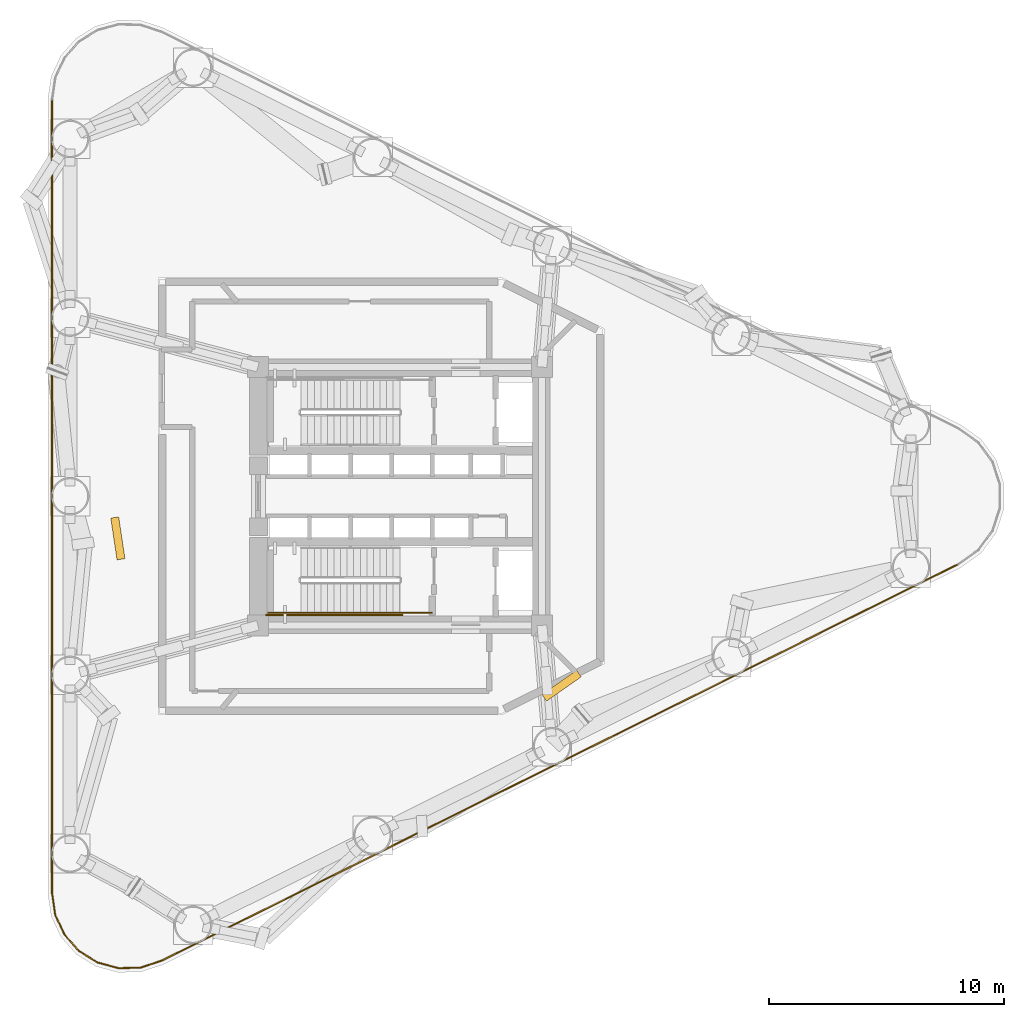
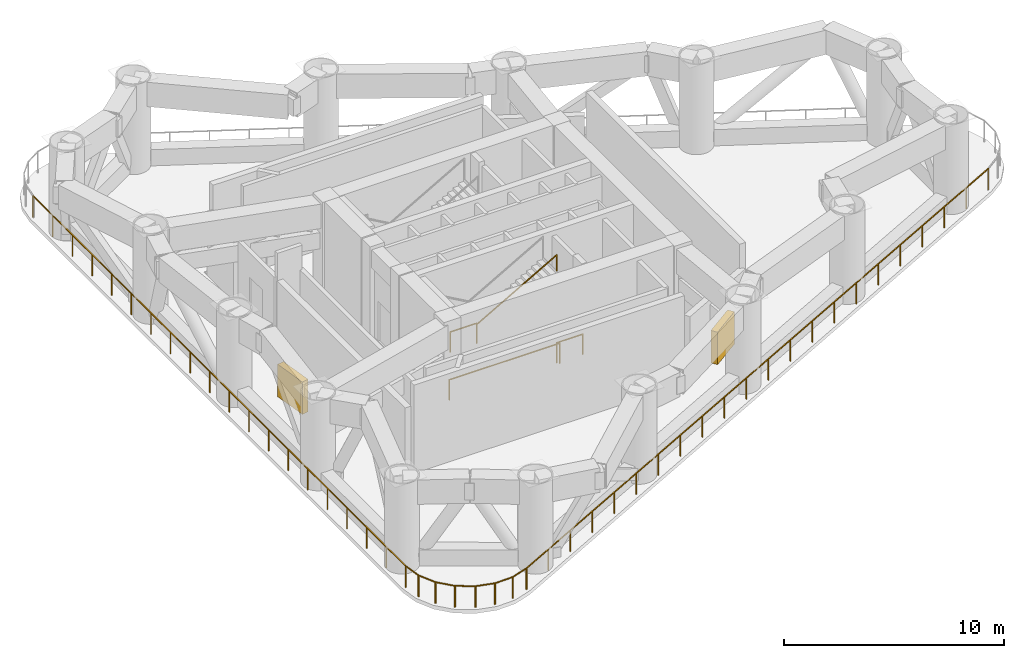
# One storey, part 6 of 8: 13 railings, 2 shading devices.
"""IFC4 building model written with IfcOpenShell, lengths in metres."""

import ifcopenshell
import ifcopenshell.guid

model = None  # the IFC model being written
_history = None  # IfcOwnerHistory: only IFC2X3 demands one
_inside = {}  # id of a spatial element -> (the spatial element, [elements in it])
_under = {}  # id of a project, library or spatial element -> (it, [spatial elements below it])
_declared = {}  # id of a project -> (the project, [libraries it declares])
_typed = {}  # id of a type object -> (the type object, [elements of that type])
_made_of = {}  # id of a material, layer set ... -> (it, [elements and type objects made of it])


def new_model(schema):
    """Start an empty IFC model of exactly this schema.

    Asked for "IFC4X3", IfcOpenShell would pick the latest addendum, in which some entities
    have other attributes; the version numbers below select the first issue.
    IFC2X3 requires an IfcOwnerHistory on every rooted entity: one is made here for all.
    """
    global model, _history
    if schema == "IFC4X3":
        model = ifcopenshell.file(schema_version=(4, 3, 0, 0))
    else:
        model = ifcopenshell.file(schema=schema)
    _inside.clear()
    _under.clear()
    _declared.clear()
    _typed.clear()
    _made_of.clear()
    _history = None
    if model.schema == "IFC2X3":
        org = make("IfcOrganization", Name="unknown")
        user = make(
            "IfcPersonAndOrganization",
            ThePerson=make("IfcPerson", FamilyName="unknown"),
            TheOrganization=org,
        )
        app = make(
            "IfcApplication",
            ApplicationDeveloper=org,
            Version="unknown",
            ApplicationFullName="unknown",
            ApplicationIdentifier="unknown",
        )
        _history = make(
            "IfcOwnerHistory",
            OwningUser=user,
            OwningApplication=app,
            ChangeAction="ADDED",
            CreationDate=0,
        )
    return model


def make(cls, **values):
    """One entity of the class cls with the attributes given. An attribute that is None is left unset."""
    return model.create_entity(
        cls, **{name: value for name, value in values.items() if value is not None}
    )


def rooted(cls, **values):
    """An entity with a GlobalId (a new one), such as an element, a storey or a relation."""
    return make(cls, GlobalId=ifcopenshell.guid.new(), OwnerHistory=_history, **values)


def si_unit(unit_type, name, prefix=None):
    """IfcSIUnit, for example si_unit("LENGTHUNIT", "METRE", prefix="MILLI")."""
    return make("IfcSIUnit", UnitType=unit_type, Prefix=prefix, Name=name)


def assignment(units):
    """IfcUnitAssignment: the units of a project."""
    return None if units is None else make("IfcUnitAssignment", Units=units)


def point(xyz):
    """IfcCartesianPoint."""
    return None if xyz is None else make("IfcCartesianPoint", Coordinates=xyz)


def direction(xyz):
    """IfcDirection."""
    return None if xyz is None else make("IfcDirection", DirectionRatios=xyz)


def frame(location, z_axis=None, x_axis=None):
    """IfcAxis2Placement3D, a coordinate frame: its origin and axes. An axis left out is left unset."""
    return make(
        "IfcAxis2Placement3D",
        Location=point(location),
        Axis=direction(z_axis),
        RefDirection=direction(x_axis),
    )


def frame_2d(location, x_axis=None):
    """IfcAxis2Placement2D, a coordinate frame in the plane: its origin and x axis."""
    return make(
        "IfcAxis2Placement2D", Location=point(location), RefDirection=direction(x_axis)
    )


def origin():
    """The frame at (0, 0, 0) with its axes left unset."""
    return frame((0.0, 0.0, 0.0))


def origin_2d():
    """The frame at (0, 0) in the plane with its x axis left unset."""
    return frame_2d((0.0, 0.0))


def place(relative_to, where):
    """IfcLocalPlacement: puts the frame where relative to a parent placement (None: the world)."""
    return make(
        "IfcLocalPlacement", PlacementRelTo=relative_to, RelativePlacement=where
    )


def context(
    kind, dimensions, precision=None, world=None, true_north=None, identifier=None
):
    """IfcGeometricRepresentationContext, for example the 3D "Model" context."""
    return make(
        "IfcGeometricRepresentationContext",
        ContextIdentifier=identifier,
        ContextType=kind,
        CoordinateSpaceDimension=dimensions,
        Precision=precision,
        WorldCoordinateSystem=world,
        TrueNorth=true_north,
    )


def subcontext(parent, identifier, kind, view, scale=None):
    """IfcGeometricRepresentationSubContext, for example "Body" below "Model"."""
    return make(
        "IfcGeometricRepresentationSubContext",
        ContextIdentifier=identifier,
        ContextType=kind,
        ParentContext=parent,
        TargetScale=scale,
        TargetView=view,
    )


def project(units=None, contexts=None):
    """IfcProject with its units and contexts."""
    return rooted(
        "IfcProject",
        Name="project",
        RepresentationContexts=contexts,
        UnitsInContext=assignment(units),
    )


def spatial(cls, under=None, at=None, **own):
    """A site, building, storey or space (cls), placed at a placement, below another one or the project."""
    s = rooted(cls, ObjectPlacement=at, **own)
    if under is not None:
        _under.setdefault(under.id(), (under, []))[1].append(s)
    return s


def profile(cls, at=None, kind="AREA", **sizes):
    """A parametric profile (cls). Its sizes go by their IFC names, for example OverallWidth=200.0."""
    return make(cls, ProfileType=kind, Position=at, **sizes)


def rectangle(**sizes):
    """IfcRectangleProfileDef."""
    return profile("IfcRectangleProfileDef", **sizes)


def extrude(swept, where, along, depth):
    """IfcExtrudedAreaSolid: the profile swept, set in the frame where, extruded along a direction by depth."""
    return make(
        "IfcExtrudedAreaSolid",
        SweptArea=swept,
        Position=where,
        ExtrudedDirection=direction(along),
        Depth=depth,
    )


def shape(context_of_items, identifier, shape_type, items):
    """IfcShapeRepresentation: the items that make up one representation, for example the "Body"."""
    return make(
        "IfcShapeRepresentation",
        ContextOfItems=context_of_items,
        RepresentationIdentifier=identifier,
        RepresentationType=shape_type,
        Items=items,
    )


def source(mapping_origin, context_of_items, identifier, shape_type, items):
    """IfcRepresentationMap: a shape defined once, which mapped items show again and again."""
    return make(
        "IfcRepresentationMap",
        MappingOrigin=mapping_origin,
        MappedRepresentation=shape(context_of_items, identifier, shape_type, items),
    )


def transform(
    local_origin,
    x_axis=None,
    y_axis=None,
    z_axis=None,
    scale=None,
    scale2=None,
    scale3=None,
    uniform=True,
):
    """IfcCartesianTransformationOperator3D, or its non-uniform kind. x_axis, y_axis, z_axis: its Axis1, 2, 3."""
    if uniform:
        return make(
            "IfcCartesianTransformationOperator3D",
            Axis1=direction(x_axis),
            Axis2=direction(y_axis),
            LocalOrigin=point(local_origin),
            Scale=scale,
            Axis3=direction(z_axis),
        )
    return make(
        "IfcCartesianTransformationOperator3DnonUniform",
        Axis1=direction(x_axis),
        Axis2=direction(y_axis),
        LocalOrigin=point(local_origin),
        Scale=scale,
        Axis3=direction(z_axis),
        Scale2=scale2,
        Scale3=scale3,
    )


def mapped(mapping_source, mapping_target):
    """IfcMappedItem: shows the shape of a source again, moved by a transform."""
    return make(
        "IfcMappedItem", MappingSource=mapping_source, MappingTarget=mapping_target
    )


def material(Name=None, Category=None):
    """IfcMaterial."""
    return make("IfcMaterial", Name=Name, Category=Category)


def layer(
    of_material, thickness, ventilated=None, Name=None, Category=None, Priority=None
):
    """IfcMaterialLayer: one layer of a wall or slab, of a material (None: an air gap)."""
    return make(
        "IfcMaterialLayer",
        Material=of_material,
        LayerThickness=thickness,
        IsVentilated=ventilated,
        Name=Name,
        Category=Category,
        Priority=Priority,
    )


def layer_set(layers, Name=None):
    """IfcMaterialLayerSet."""
    return make("IfcMaterialLayerSet", MaterialLayers=layers, LayerSetName=Name)


def made_of(thing, what):
    """Note that an element or type object is made of a material, layer set ...; save() writes the relation."""
    if what is not None:
        _made_of.setdefault(what.id(), (what, []))[1].append(thing)
    return thing


def type_object(cls, material=None, **own):
    """A type object (cls), such as IfcWallType, which elements share."""
    return made_of(rooted(cls, **own), material)


def element(
    cls,
    number,
    at=None,
    inside=None,
    cuts=None,
    type_object=None,
    material=None,
    context=None,
    identifier="Body",
    shape_type=None,
    held_by="IfcProductDefinitionShape",
    body=None,
    shapes=None,
    **own,
):
    """One element of the class cls, such as IfcWall. Its Tag is "e" and its number.

    at: its placement. inside: the storey or other place that contains it. cuts: it is an
    opening in that element (IfcRelVoidsElement). A single representation is given by context,
    identifier, shape_type and body (its items); several are given by shapes. held_by: the class
    of the entity that holds the representations. save() writes the other relations.
    """
    e = rooted(cls, Tag="e%d" % number, ObjectPlacement=at, **own)
    if body is not None:
        shapes = [shape(context, identifier, shape_type, body)]
    if shapes is not None:
        e.Representation = make(held_by, Representations=shapes)
    if inside is not None:
        _inside.setdefault(inside.id(), (inside, []))[1].append(e)
    if cuts is not None:
        rooted(
            "IfcRelVoidsElement", RelatingBuildingElement=cuts, RelatedOpeningElement=e
        )
    if type_object is not None:
        _typed.setdefault(type_object.id(), (type_object, []))[1].append(e)
    return made_of(e, material)


def aggregate(whole, parts):
    """IfcRelAggregates: a whole, such as a stair, and the parts it consists of."""
    return rooted("IfcRelAggregates", RelatingObject=whole, RelatedObjects=parts)


def save(model, path):
    """Write the relations noted so far, then the file.

    IfcRelAggregates (storeys below a building ...), IfcRelContainedInSpatialStructure (elements
    in a storey), IfcRelDefinesByType, IfcRelAssociatesMaterial and IfcRelDeclares: one each for
    every whole, place, type object, material and project.
    """
    for whole, parts in _under.values():
        aggregate(whole, parts)
    for where, things in _inside.values():
        rooted(
            "IfcRelContainedInSpatialStructure",
            RelatedElements=things,
            RelatingStructure=where,
        )
    for kind, things in _typed.values():
        rooted("IfcRelDefinesByType", RelatedObjects=things, RelatingType=kind)
    for what, things in _made_of.values():
        rooted("IfcRelAssociatesMaterial", RelatedObjects=things, RelatingMaterial=what)
    for by, libraries in _declared.values():
        rooted("IfcRelDeclares", RelatingContext=by, RelatedDefinitions=libraries)
    model.write(path)


model = new_model("IFC4")

# Units and contexts
model_context = context("Model", 3, precision=1e-05, world=origin(), true_north=direction((0.0, 1.0)))
body_context = subcontext(model_context, "Body", "Model", "MODEL_VIEW")
ifc_project = project(units=[si_unit("LENGTHUNIT", "METRE"), si_unit("AREAUNIT", "SQUARE_METRE"), si_unit("VOLUMEUNIT", "CUBIC_METRE"), si_unit("PLANEANGLEUNIT", "RADIAN"), si_unit("MASSUNIT", "GRAM", prefix="KILO")], contexts=[model_context])

# Site, building, storey
site_placement = place(None, origin())
site = spatial("IfcSite", under=ifc_project, at=site_placement, CompositionType="ELEMENT")
building_placement = place(site_placement, origin())
building = spatial("IfcBuilding", under=site, at=building_placement, Name="Yunling Apex Tower", CompositionType="ELEMENT")
storey_placement = place(building_placement, frame((0.0, 0.0, 49.699951171875)))
storey = spatial("IfcBuildingStorey", under=building, at=storey_placement, Name="RF1", CompositionType="ELEMENT", Elevation=49.699951171875)

# Railings
ifc_material_1 = material(Name="Bronze anodised aluminium", Category="aluminium")
railing_type_1 = type_object("IfcRailingType", Name="RL-BAL-1200", PredefinedType="BALUSTRADE", material=ifc_material_1)
railing_1_placement = place(storey_placement, frame((-14.822021484375, -16.911865234375, 0.0)))
element("IfcRailing", 1, at=railing_1_placement, inside=storey, type_object=railing_type_1, Name="RL-REF-RF1-01", PredefinedType="BALUSTRADE", context=body_context, shape_type="SweptSolid", body=[
    extrude(rectangle(XDim=0.0439453125, YDim=0.0439453125, at=origin_2d()), origin(), (0.0, 0.0, 1.0), 1.199951171875),
    extrude(rectangle(XDim=0.0439453125, YDim=0.0439453125, at=origin_2d()), frame((0.0, 33.82373046875, 0.0)), (0.0, 0.0, 1.0), 1.199951171875),
    extrude(rectangle(XDim=0.050048828125, YDim=0.050048828125, at=origin_2d()), frame((0.0, 0.038330078125, 1.1748046875), z_axis=(0.0, 1.0, 0.0), x_axis=(-1.0, 0.0, 0.0)), (0.0, 0.0, 1.0), 33.7470703125),
    extrude(rectangle(XDim=0.0439453125, YDim=0.0439453125, at=origin_2d()), frame((0.0, 1.7802734375, 0.0)), (0.0, 0.0, 1.0), 1.14599609375),
    extrude(rectangle(XDim=0.0439453125, YDim=0.0439453125, at=origin_2d()), frame((0.0, 3.560302734375, 0.0)), (0.0, 0.0, 1.0), 1.14599609375),
    extrude(rectangle(XDim=0.0439453125, YDim=0.0439453125, at=origin_2d()), frame((0.0, 5.340576171875, 0.0)), (0.0, 0.0, 1.0), 1.14599609375),
    extrude(rectangle(XDim=0.0439453125, YDim=0.0439453125, at=origin_2d()), frame((0.0, 7.120849609375, 0.0)), (0.0, 0.0, 1.0), 1.14599609375),
    extrude(rectangle(XDim=0.0439453125, YDim=0.0439453125, at=origin_2d()), frame((0.0, 8.90087890625, 0.0)), (0.0, 0.0, 1.0), 1.14599609375),
    extrude(rectangle(XDim=0.0439453125, YDim=0.0439453125, at=origin_2d()), frame((0.0, 10.68115234375, 0.0)), (0.0, 0.0, 1.0), 1.14599609375),
    extrude(rectangle(XDim=0.0439453125, YDim=0.0439453125, at=origin_2d()), frame((0.0, 12.46142578125, 0.0)), (0.0, 0.0, 1.0), 1.14599609375),
    extrude(rectangle(XDim=0.0439453125, YDim=0.0439453125, at=origin_2d()), frame((0.0, 14.241455078125, 0.0)), (0.0, 0.0, 1.0), 1.14599609375),
    extrude(rectangle(XDim=0.0439453125, YDim=0.0439453125, at=origin_2d()), frame((0.0, 16.021728515625, 0.0)), (0.0, 0.0, 1.0), 1.14599609375),
    extrude(rectangle(XDim=0.0439453125, YDim=0.0439453125, at=origin_2d()), frame((0.0, 17.802001953125, 0.0)), (0.0, 0.0, 1.0), 1.14599609375),
    extrude(rectangle(XDim=0.0439453125, YDim=0.0439453125, at=origin_2d()), frame((0.0, 19.582275390625, 0.0)), (0.0, 0.0, 1.0), 1.14599609375),
    extrude(rectangle(XDim=0.0439453125, YDim=0.0439453125, at=origin_2d()), frame((0.0, 21.3623046875, 0.0)), (0.0, 0.0, 1.0), 1.14599609375),
    extrude(rectangle(XDim=0.0439453125, YDim=0.0439453125, at=origin_2d()), frame((0.0, 23.142578125, 0.0)), (0.0, 0.0, 1.0), 1.14599609375),
    extrude(rectangle(XDim=0.0439453125, YDim=0.0439453125, at=origin_2d()), frame((0.0, 24.9228515625, 0.0)), (0.0, 0.0, 1.0), 1.14599609375),
    extrude(rectangle(XDim=0.0439453125, YDim=0.0439453125, at=origin_2d()), frame((0.0, 26.702880859375, 0.0)), (0.0, 0.0, 1.0), 1.14599609375),
    extrude(rectangle(XDim=0.0439453125, YDim=0.0439453125, at=origin_2d()), frame((0.0, 28.483154296875, 0.0)), (0.0, 0.0, 1.0), 1.14599609375),
    extrude(rectangle(XDim=0.0439453125, YDim=0.0439453125, at=origin_2d()), frame((0.0, 30.263427734375, 0.0)), (0.0, 0.0, 1.0), 1.14599609375),
    extrude(rectangle(XDim=0.0439453125, YDim=0.0439453125, at=origin_2d()), frame((0.0, 32.04345703125, 0.0)), (0.0, 0.0, 1.0), 1.14599609375),
])
railing_2_placement = place(storey_placement, frame((23.80859375, -2.88232421875, 0.0)))
element("IfcRailing", 2, at=railing_2_placement, inside=storey, type_object=railing_type_1, Name="RL-REF-RF1-17", PredefinedType="BALUSTRADE", context=body_context, shape_type="SweptSolid", body=[
    extrude(rectangle(XDim=0.0439453125, YDim=0.0439453125, at=origin_2d()), origin(), (0.0, 0.0, 1.0), 1.199951171875),
    extrude(rectangle(XDim=0.0439453125, YDim=0.0439453125, at=origin_2d()), frame((-33.9775390625, -16.9111328125, 0.0)), (0.0, 0.0, 1.0), 1.199951171875),
    extrude(rectangle(XDim=0.050048828125, YDim=0.050048828125, at=origin_2d()), frame((-0.034423828125, -0.01708984375, 1.1748046875), z_axis=(-0.895243926255, -0.445576382346, 0.0), x_axis=(0.445576382346, -0.895243926255, 0.0)), (0.0, 0.0, 1.0), 37.876708984375),
    extrude(rectangle(XDim=0.0439453125, YDim=0.0439453125, at=origin_2d()), frame((-1.617919921875, -0.80517578125, 0.0)), (0.0, 0.0, 1.0), 1.14599609375),
    extrude(rectangle(XDim=0.0439453125, YDim=0.0439453125, at=origin_2d()), frame((-3.23583984375, -1.610595703125, 0.0)), (0.0, 0.0, 1.0), 1.14599609375),
    extrude(rectangle(XDim=0.0439453125, YDim=0.0439453125, at=origin_2d()), frame((-4.85400390625, -2.415771484375, 0.0)), (0.0, 0.0, 1.0), 1.14599609375),
    extrude(rectangle(XDim=0.0439453125, YDim=0.0439453125, at=origin_2d()), frame((-6.471923828125, -3.22119140625, 0.0)), (0.0, 0.0, 1.0), 1.14599609375),
    extrude(rectangle(XDim=0.0439453125, YDim=0.0439453125, at=origin_2d()), frame((-8.08984375, -4.0263671875, 0.0)), (0.0, 0.0, 1.0), 1.14599609375),
    extrude(rectangle(XDim=0.0439453125, YDim=0.0439453125, at=origin_2d()), frame((-9.707763671875, -4.831787109375, 0.0)), (0.0, 0.0, 1.0), 1.14599609375),
    extrude(rectangle(XDim=0.0439453125, YDim=0.0439453125, at=origin_2d()), frame((-11.325927734375, -5.636962890625, 0.0)), (0.0, 0.0, 1.0), 1.14599609375),
    extrude(rectangle(XDim=0.0439453125, YDim=0.0439453125, at=origin_2d()), frame((-12.94384765625, -6.4423828125, 0.0)), (0.0, 0.0, 1.0), 1.14599609375),
    extrude(rectangle(XDim=0.0439453125, YDim=0.0439453125, at=origin_2d()), frame((-14.561767578125, -7.24755859375, 0.0)), (0.0, 0.0, 1.0), 1.14599609375),
    extrude(rectangle(XDim=0.0439453125, YDim=0.0439453125, at=origin_2d()), frame((-16.1796875, -8.052978515625, 0.0)), (0.0, 0.0, 1.0), 1.14599609375),
    extrude(rectangle(XDim=0.0439453125, YDim=0.0439453125, at=origin_2d()), frame((-17.7978515625, -8.858154296875, 0.0)), (0.0, 0.0, 1.0), 1.14599609375),
    extrude(rectangle(XDim=0.0439453125, YDim=0.0439453125, at=origin_2d()), frame((-19.415771484375, -9.66357421875, 0.0)), (0.0, 0.0, 1.0), 1.14599609375),
    extrude(rectangle(XDim=0.0439453125, YDim=0.0439453125, at=origin_2d()), frame((-21.03369140625, -10.46875, 0.0)), (0.0, 0.0, 1.0), 1.14599609375),
    extrude(rectangle(XDim=0.0439453125, YDim=0.0439453125, at=origin_2d()), frame((-22.651611328125, -11.274169921875, 0.0)), (0.0, 0.0, 1.0), 1.14599609375),
    extrude(rectangle(XDim=0.0439453125, YDim=0.0439453125, at=origin_2d()), frame((-24.269775390625, -12.079345703125, 0.0)), (0.0, 0.0, 1.0), 1.14599609375),
    extrude(rectangle(XDim=0.0439453125, YDim=0.0439453125, at=origin_2d()), frame((-25.8876953125, -12.884765625, 0.0)), (0.0, 0.0, 1.0), 1.14599609375),
    extrude(rectangle(XDim=0.0439453125, YDim=0.0439453125, at=origin_2d()), frame((-27.505615234375, -13.68994140625, 0.0)), (0.0, 0.0, 1.0), 1.14599609375),
    extrude(rectangle(XDim=0.0439453125, YDim=0.0439453125, at=origin_2d()), frame((-29.12353515625, -14.495361328125, 0.0)), (0.0, 0.0, 1.0), 1.14599609375),
    extrude(rectangle(XDim=0.0439453125, YDim=0.0439453125, at=origin_2d()), frame((-30.74169921875, -15.300537109375, 0.0)), (0.0, 0.0, 1.0), 1.14599609375),
    extrude(rectangle(XDim=0.0439453125, YDim=0.0439453125, at=origin_2d()), frame((-32.359619140625, -16.10595703125, 0.0)), (0.0, 0.0, 1.0), 1.14599609375),
])
railing_3_placement = place(storey_placement, frame((-10.14111328125, -19.7822265625, 0.0)))
element("IfcRailing", 3, at=railing_3_placement, inside=storey, type_object=railing_type_1, Name="RL-REF-RF1-18", PredefinedType="BALUSTRADE", context=body_context, shape_type="SweptSolid", body=[
    extrude(rectangle(XDim=0.0439453125, YDim=0.0439453125, at=origin_2d()), origin(), (0.0, 0.0, 1.0), 1.199951171875),
    extrude(rectangle(XDim=0.0439453125, YDim=0.0439453125, at=origin_2d()), frame((-0.926025390625, -0.30322265625, 0.0)), (0.0, 0.0, 1.0), 1.199951171875),
    extrude(rectangle(XDim=0.050048828125, YDim=0.050048828125, at=origin_2d()), frame((-0.036376953125, -0.011962890625, 1.1748046875), z_axis=(-0.950348637795, -0.31118718907, 0.0), x_axis=(0.31118718907, -0.950348637795, 0.0)), (0.0, 0.0, 1.0), 0.897705078125),
])
railing_4_placement = place(storey_placement, frame((-11.037841796875, -20.08056640625, 0.0)))
element("IfcRailing", 4, at=railing_4_placement, inside=storey, type_object=railing_type_1, Name="RL-REF-RF1-19", PredefinedType="BALUSTRADE", context=body_context, shape_type="SweptSolid", body=[
    extrude(rectangle(XDim=0.0439453125, YDim=0.0439453125, at=origin_2d()), origin(), (0.0, 0.0, 1.0), 1.199951171875),
    extrude(rectangle(XDim=0.0439453125, YDim=0.0439453125, at=origin_2d()), frame((-0.9609375, -0.025146484375, 0.0)), (0.0, 0.0, 1.0), 1.199951171875),
    extrude(rectangle(XDim=0.050048828125, YDim=0.050048828125, at=origin_2d()), frame((-0.038330078125, -0.0009765625, 1.1748046875), z_axis=(-0.999657775348, -0.026159743613, 0.0), x_axis=(0.026159743613, -0.999657775348, 0.0)), (0.0, 0.0, 1.0), 0.884521484375),
])
railing_5_placement = place(storey_placement, frame((-11.96923828125, -20.109130859375, 0.0)))
element("IfcRailing", 5, at=railing_5_placement, inside=storey, type_object=railing_type_1, Name="RL-REF-RF1-20", PredefinedType="BALUSTRADE", context=body_context, shape_type="SweptSolid", body=[
    extrude(rectangle(XDim=0.0439453125, YDim=0.0439453125, at=origin_2d()), origin(), (0.0, 0.0, 1.0), 1.199951171875),
    extrude(rectangle(XDim=0.0439453125, YDim=0.0439453125, at=origin_2d()), frame((-0.927978515625, 0.250732421875, 0.0)), (0.0, 0.0, 1.0), 1.199951171875),
    extrude(rectangle(XDim=0.050048828125, YDim=0.050048828125, at=origin_2d()), frame((-0.037109375, 0.010009765625, 1.1748046875), z_axis=(-0.965382408795, 0.260838656625, 0.0), x_axis=(-0.260838656625, -0.965382408795, 0.0)), (0.0, 0.0, 1.0), 0.884521484375),
])
railing_6_placement = place(storey_placement, frame((-12.8701171875, -19.8701171875, 0.0)))
element("IfcRailing", 6, at=railing_6_placement, inside=storey, type_object=railing_type_1, Name="RL-REF-RF1-21", PredefinedType="BALUSTRADE", context=body_context, shape_type="SweptSolid", body=[
    extrude(rectangle(XDim=0.0439453125, YDim=0.0439453125, at=origin_2d()), origin(), (0.0, 0.0, 1.0), 1.199951171875),
    extrude(rectangle(XDim=0.0439453125, YDim=0.0439453125, at=origin_2d()), frame((-0.81689453125, 0.506103515625, 0.0)), (0.0, 0.0, 1.0), 1.199951171875),
    extrude(rectangle(XDim=0.050048828125, YDim=0.050048828125, at=origin_2d()), frame((-0.032470703125, 0.020263671875, 1.1748046875), z_axis=(-0.850075589856, 0.526660698677, 0.0), x_axis=(-0.526660698677, -0.850075589856, 0.0)), (0.0, 0.0, 1.0), 0.88427734375),
])
railing_7_placement = place(storey_placement, frame((-13.664306640625, -19.383056640625, 0.0)))
element("IfcRailing", 7, at=railing_7_placement, inside=storey, type_object=railing_type_1, Name="RL-REF-RF1-22", PredefinedType="BALUSTRADE", context=body_context, shape_type="SweptSolid", body=[
    extrude(rectangle(XDim=0.0439453125, YDim=0.0439453125, at=origin_2d()), origin(), (0.0, 0.0, 1.0), 1.199951171875),
    extrude(rectangle(XDim=0.0439453125, YDim=0.0439453125, at=origin_2d()), frame((-0.63818359375, 0.71875, 0.0)), (0.0, 0.0, 1.0), 1.199951171875),
    extrude(rectangle(XDim=0.050048828125, YDim=0.050048828125, at=origin_2d()), frame((-0.025390625, 0.028564453125, 1.1748046875), z_axis=(-0.663953836805, 0.747773563716, 0.0), x_axis=(-0.747773563716, -0.663953836805, 0.0)), (0.0, 0.0, 1.0), 0.884521484375),
])
railing_8_placement = place(storey_placement, frame((-14.2861328125, -18.689208984375, 0.0)))
element("IfcRailing", 8, at=railing_8_placement, inside=storey, type_object=railing_type_1, Name="RL-REF-RF1-23", PredefinedType="BALUSTRADE", context=body_context, shape_type="SweptSolid", body=[
    extrude(rectangle(XDim=0.0439453125, YDim=0.0439453125, at=origin_2d()), origin(), (0.0, 0.0, 1.0), 1.199951171875),
    extrude(rectangle(XDim=0.0439453125, YDim=0.0439453125, at=origin_2d()), frame((-0.405517578125, 0.87158203125, 0.0)), (0.0, 0.0, 1.0), 1.199951171875),
    extrude(rectangle(XDim=0.050048828125, YDim=0.050048828125, at=origin_2d()), frame((-0.01611328125, 0.03466796875, 1.1748046875), z_axis=(-0.421842429617, 0.906669159382, 0.0), x_axis=(-0.906669159382, -0.421842429617, 0.0)), (0.0, 0.0, 1.0), 0.884521484375),
])
railing_9_placement = place(storey_placement, frame((-14.68310546875, -17.84619140625, 0.0)))
element("IfcRailing", 9, at=railing_9_placement, inside=storey, type_object=railing_type_1, Name="RL-REF-RF1-24", PredefinedType="BALUSTRADE", context=body_context, shape_type="SweptSolid", body=[
    extrude(rectangle(XDim=0.0439453125, YDim=0.0439453125, at=origin_2d()), origin(), (0.0, 0.0, 1.0), 1.199951171875),
    extrude(rectangle(XDim=0.0439453125, YDim=0.0439453125, at=origin_2d()), frame((-0.14111328125, 0.964111328125, 0.0)), (0.0, 0.0, 1.0), 1.199951171875),
    extrude(rectangle(XDim=0.050048828125, YDim=0.050048828125, at=origin_2d()), frame((-0.005615234375, 0.037841796875, 1.1748046875), z_axis=(-0.144823112328, 0.989457561564, 0.0), x_axis=(-0.989457561564, -0.144823112328, 0.0)), (0.0, 0.0, 1.0), 0.897705078125),
])
ifc_material_2 = material(Name="Steel Q355B", Category="steel")
railing_type_2 = type_object("IfcRailingType", Name="RL-GRD-1150", PredefinedType="GUARDRAIL", material=ifc_material_2)
railing_10_placement = place(storey_placement, frame((-4.2099609375, -4.9599609375, 2.550048828125)))
element("IfcRailing", 10, at=railing_10_placement, inside=storey, type_object=railing_type_2, Name="RF1 ST-2 stair guard 3", PredefinedType="GUARDRAIL", context=body_context, shape_type="SweptSolid", body=[
    extrude(rectangle(XDim=0.0439453125, YDim=0.0439453125, at=origin_2d()), origin(), (0.0, 0.0, 1.0), 1.14990234375),
    extrude(rectangle(XDim=0.0439453125, YDim=0.0439453125, at=origin_2d()), frame((-1.39013671875, 0.0, 0.0)), (0.0, 0.0, 1.0), 1.14990234375),
    extrude(rectangle(XDim=0.050048828125, YDim=0.050048828125, at=origin_2d()), frame((-0.038330078125, 0.0, 1.125), z_axis=(-1.0, 0.0, 0.0), x_axis=(0.0, -1.0, 0.0)), (0.0, 0.0, 1.0), 1.3134765625),
])
railing_11_placement = place(storey_placement, frame((1.35009765625, -4.9599609375, 0.0)))
element("IfcRailing", 11, at=railing_11_placement, inside=storey, type_object=railing_type_2, Name="RF1 ST-2 stair guard 6", PredefinedType="GUARDRAIL", context=body_context, shape_type="SweptSolid", body=[
    extrude(rectangle(XDim=0.0439453125, YDim=0.0439453125, at=origin_2d()), origin(), (0.0, 0.0, 1.0), 1.14990234375),
    extrude(rectangle(XDim=0.0439453125, YDim=0.0439453125, at=origin_2d()), frame((-1.360107421875, 0.0, 0.0)), (0.0, 0.0, 1.0), 1.14990234375),
    extrude(rectangle(XDim=0.050048828125, YDim=0.050048828125, at=origin_2d()), frame((-0.038330078125, 0.0, 1.125), z_axis=(-1.0, 0.0, 0.0), x_axis=(0.0, -1.0, 0.0)), (0.0, 0.0, 1.0), 1.283447265625),
])
railing_12_placement = place(storey_placement, frame((0.090087890625, -5.06005859375, 0.0)))
element("IfcRailing", 12, at=railing_12_placement, inside=storey, type_object=railing_type_2, Name="RF1 ST-2 stair guard 7", PredefinedType="GUARDRAIL", context=body_context, shape_type="SweptSolid", body=[
    extrude(rectangle(XDim=0.0439453125, YDim=0.0439453125, at=origin_2d()), origin(), (0.0, 0.0, 1.0), 1.14990234375),
    extrude(rectangle(XDim=0.0439453125, YDim=0.0439453125, at=origin_2d()), frame((-5.7900390625, 0.0, 0.0)), (0.0, 0.0, 1.0), 1.14990234375),
    extrude(rectangle(XDim=0.050048828125, YDim=0.050048828125, at=origin_2d()), frame((-0.038330078125, 0.0, 1.125), z_axis=(-1.0, 0.0, 0.0), x_axis=(0.0, -1.0, 0.0)), (0.0, 0.0, 1.0), 5.71337890625),
])
ifc_material_3 = material(Name="Silver anodised aluminium", Category="aluminium")
railing_type_3 = type_object("IfcRailingType", Name="RL-HND-900", PredefinedType="HANDRAIL", material=ifc_material_3)
railing_13_placement = place(storey_placement, frame((-4.2099609375, -4.9599609375, 2.70947265625)))
element("IfcRailing", 13, at=railing_13_placement, inside=storey, type_object=railing_type_3, Name="RF1 ST-2 stair handrail 2", PredefinedType="HANDRAIL", context=body_context, shape_type="SweptSolid", body=[
    extrude(rectangle(XDim=0.0439453125, YDim=0.0439453125, at=origin_2d()), origin(), (0.0, 0.0, 1.0), 0.919921875),
    extrude(rectangle(XDim=0.0439453125, YDim=0.0439453125, at=origin_2d()), frame((4.199951171875, 0.0, 2.390625)), (0.0, 0.0, 1.0), 0.919921875),
    extrude(rectangle(XDim=0.050048828125, YDim=0.050048828125, at=origin_2d()), frame((0.033203125, 0.0, 0.913818359375), z_axis=(0.869075089623, 0.0, 0.494680188199), x_axis=(0.0, 1.0, 0.0)), (0.0, 0.0, 1.0), 4.756103515625),
])

# Shading devices
ifc_layer = layer(ifc_material_1, 0.1201171875)
ifc_layer_set = layer_set([ifc_layer], Name="Bronze anodised aluminium")
shading_device_type = type_object("IfcShadingDeviceType", Name="LV-BRZ-1", PredefinedType="USERDEFINED", material=ifc_layer_set)
shared_shape = source(origin(), body_context, "Body", "SweptSolid", [
    extrude(rectangle(XDim=1.800048828125, YDim=0.340087890625, at=origin_2d()), origin(), (0.0, 0.0, 1.0), 1.800048828125),
])
for number, where, z_axis, x_axis, name in (
    (14, (-12.0166015625, -1.7958984375, 0.0), (0.0, 0.0, 1.0), (-0.14780941113, 0.989015863362, 0.0), "LV-REF-RF1-1"),
    (15, (6.885498046875, -8.072021484375, 0.0), (0.0, 0.0, 1.0), (-0.819552276527, -0.573004420611, 0.0), "LV-REF-RF1-2"),
):
    element("IfcShadingDevice", number, at=place(storey_placement, frame(where, z_axis=z_axis, x_axis=x_axis)), inside=storey, type_object=shading_device_type, Name=name, ObjectType="LOUVRE", PredefinedType="USERDEFINED", context=body_context, shape_type="MappedRepresentation", body=[
        mapped(shared_shape, transform((0.0, 0.0, 0.0), scale=1.0)),
    ])

save(model, "model.ifc")
